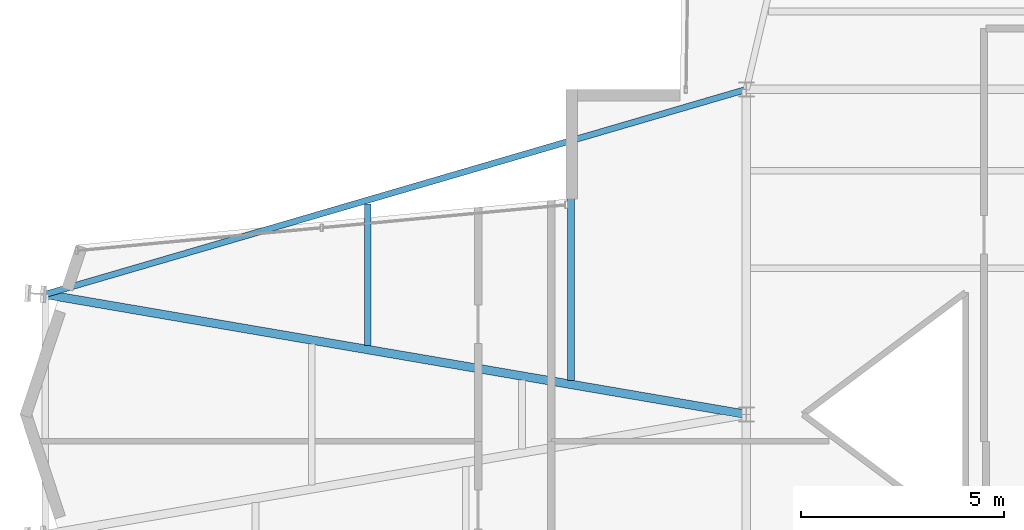
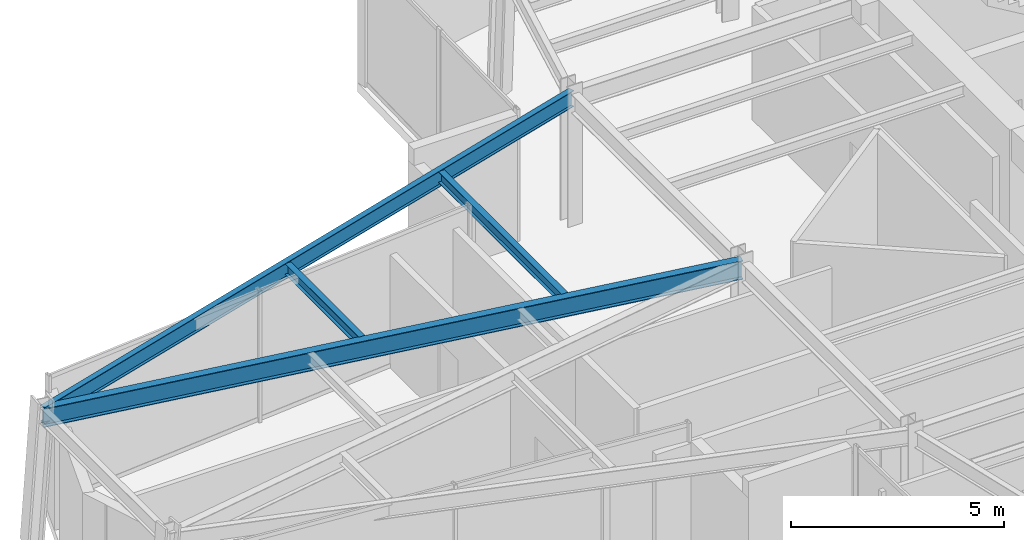
# One storey, part 10 of 23: 4 beams.
"""IFC4 building model written with IfcOpenShell, lengths in metres."""

from ifc_helpers import new_model, si_unit, direction, frame, origin, origin_2d, place, context, subcontext, project, spatial, i_section, extrude, material, material_profile, profile_set, type_object, element, save


model = new_model("IFC4")

# Units and contexts
model_context = context("Model", 3, precision=1e-05, world=origin(), true_north=direction((0.0, 1.0)))
body_context = subcontext(model_context, "Body", "Model", "MODEL_VIEW")
ifc_project = project(units=[si_unit("LENGTHUNIT", "METRE"), si_unit("AREAUNIT", "SQUARE_METRE"), si_unit("VOLUMEUNIT", "CUBIC_METRE"), si_unit("PLANEANGLEUNIT", "RADIAN"), si_unit("MASSUNIT", "GRAM", prefix="KILO")], contexts=[model_context])

# Site, building, storey
site_placement = place(None, origin())
site = spatial("IfcSite", under=ifc_project, at=site_placement, CompositionType="ELEMENT")
building_placement = place(site_placement, origin())
building = spatial("IfcBuilding", under=site, at=building_placement, Name="Veymaron Broadcast Tower", CompositionType="ELEMENT")
storey_placement = place(building_placement, frame((0.0, 0.0, 224.25)))
storey = spatial("IfcBuildingStorey", under=building, at=storey_placement, Name="L52", CompositionType="ELEMENT", Elevation=224.25)

# Beams
ifc_material = material(Name="Structural steel ASTM A992 Gr 50", Category="steel")
ifc_material_profile_1 = material_profile(ifc_material, i_section(OverallWidth=0.2099609375, OverallDepth=0.537109375, WebThickness=0.010986328125, FlangeThickness=0.017333984375, at=origin_2d()), Name="W530X101")
ifc_profile_set_1 = profile_set([ifc_material_profile_1], Name="Structural steel ASTM A992 Gr 50")
beam_type_1 = type_object("IfcBeamType", Name="BM-FG3", PredefinedType="BEAM", material=ifc_profile_set_1)
beam_1_placement = place(storey_placement, frame((13.94091796875, 26.955078125, 3.521484375), z_axis=(0.985656599332, -0.168763349671, 0.0), x_axis=(0.168763349671, 0.985656599332, 0.0)))
element("IfcBeam", 1, at=beam_1_placement, inside=storey, type_object=beam_type_1, Name="L52 primary structural floor girder", PredefinedType="BEAM", context=body_context, shape_type="SweptSolid", body=[
    extrude(i_section(OverallWidth=0.2099609375, OverallDepth=0.537109375, WebThickness=0.010986328125, FlangeThickness=0.017333984375, at=origin_2d()), origin(), (0.0, 0.0, 1.0), 17.51025390625),
])
ifc_material_profile_2 = material_profile(ifc_material, i_section(OverallWidth=0.1650390625, OverallDepth=0.31005859375, WebThickness=0.005859375, FlangeThickness=0.009765625, at=origin_2d()), Name="W310X39")
ifc_profile_set_2 = profile_set([ifc_material_profile_2], Name="Structural steel ASTM A992 Gr 50")
beam_type_2 = type_object("IfcBeamType", Name="BM-JS3", PredefinedType="JOIST", material=ifc_profile_set_2)
beam_2_placement = place(storey_placement, frame((21.880126953125, 25.69580078125, 3.635009765625), z_axis=(0.0, 1.0, 0.0), x_axis=(-1.0, 0.0, 0.0)))
element("IfcBeam", 2, at=beam_2_placement, inside=storey, type_object=beam_type_2, Name="L52 Arm-A secondary joist 1N", PredefinedType="JOIST", context=body_context, shape_type="SweptSolid", body=[
    extrude(i_section(OverallWidth=0.1650390625, OverallDepth=0.31005859375, WebThickness=0.005859375, FlangeThickness=0.009765625, at=origin_2d()), origin(), (0.0, 0.0, 1.0), 3.47998046875),
])
beam_3_placement = place(storey_placement, frame((26.88525390625, 24.8388671875, 3.635009765625), z_axis=(0.0, 1.0, 0.0), x_axis=(-1.0, 0.0, 0.0)))
element("IfcBeam", 3, at=beam_3_placement, inside=storey, type_object=beam_type_2, Name="L52 Arm-A secondary joist 2N", PredefinedType="JOIST", context=body_context, shape_type="SweptSolid", body=[
    extrude(i_section(OverallWidth=0.1650390625, OverallDepth=0.31005859375, WebThickness=0.005859375, FlangeThickness=0.009765625, at=origin_2d()), origin(), (0.0, 0.0, 1.0), 5.7998046875),
])
ifc_material_profile_3 = material_profile(ifc_material, i_section(OverallWidth=0.154052734375, OverallDepth=0.458984375, WebThickness=0.009033203125, FlangeThickness=0.015380859375, at=origin_2d()), Name="W460X68")
ifc_profile_set_3 = profile_set([ifc_material_profile_3], Name="Structural steel ASTM A992 Gr 50")
beam_type_3 = type_object("IfcBeamType", Name="BM-SP2", PredefinedType="SPANDREL", material=ifc_profile_set_3)
beam_4_placement = place(storey_placement, frame((13.94091796875, 26.955078125, 3.560546875), z_axis=(0.95983483944, 0.28056564472, 0.0), x_axis=(-0.28056564472, 0.95983483944, 0.0)))
element("IfcBeam", 4, at=beam_4_placement, inside=storey, type_object=beam_type_3, Name="L52 primary structural floor girder", PredefinedType="SPANDREL", context=body_context, shape_type="SweptSolid", body=[
    extrude(i_section(OverallWidth=0.154052734375, OverallDepth=0.458984375, WebThickness=0.009033203125, FlangeThickness=0.015380859375, at=origin_2d()), origin(), (0.0, 0.0, 1.0), 17.981201171875),
])

save(model, "model.ifc")
